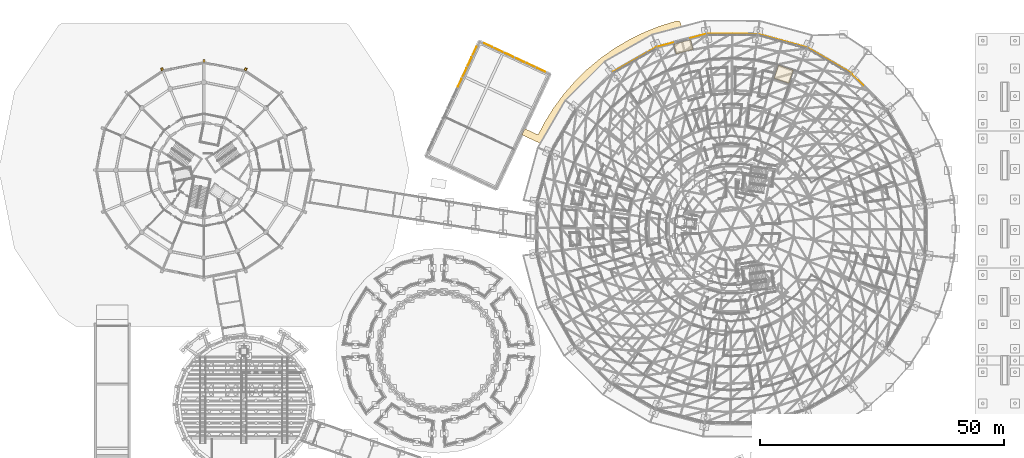
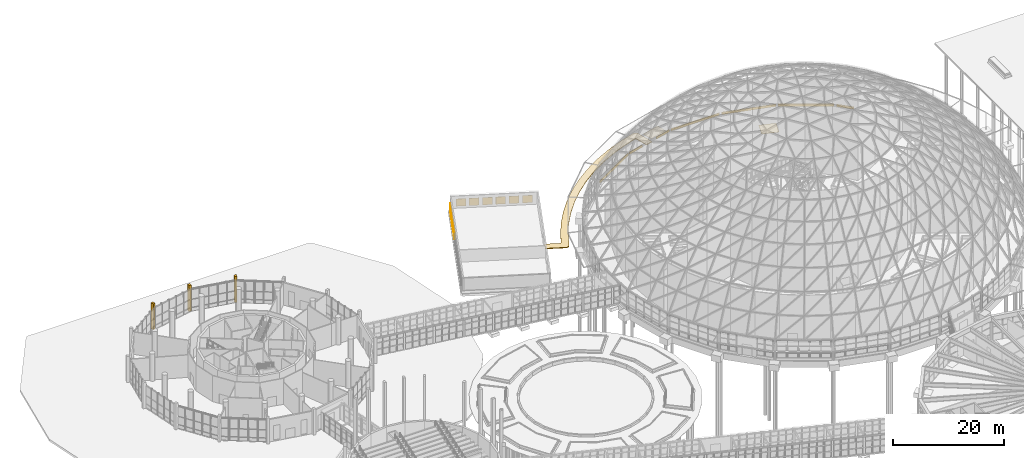
# One storey, part 225 of 226: 13 coverings, 10 shading devices.
"""IFC4 building model written with IfcOpenShell, lengths in metres."""

from ifc_helpers import new_model, si_unit, direction, frame, origin, origin_2d, place, context, subcontext, project, spatial, polyline, rectangle, outline, extrude, material, layer, layer_set, type_object, element, save


model = new_model("IFC4")

# Units and contexts
model_context = context("Model", 3, precision=1e-05, world=origin(), true_north=direction((0.0, 1.0)))
body_context = subcontext(model_context, "Body", "Model", "MODEL_VIEW")
ifc_project = project(units=[si_unit("LENGTHUNIT", "METRE"), si_unit("AREAUNIT", "SQUARE_METRE"), si_unit("VOLUMEUNIT", "CUBIC_METRE"), si_unit("PLANEANGLEUNIT", "RADIAN"), si_unit("MASSUNIT", "GRAM", prefix="KILO")], contexts=[model_context])

# Site, building, storey
site_placement = place(None, origin())
site = spatial("IfcSite", under=ifc_project, at=site_placement, CompositionType="ELEMENT")
building_placement = place(site_placement, origin())
building = spatial("IfcBuilding", under=site, at=building_placement, Name="Ceibo Conservatory and Research Tower", CompositionType="ELEMENT")
storey_placement = place(building_placement, origin())
storey = spatial("IfcBuildingStorey", under=building, at=storey_placement, Name="L00", CompositionType="ELEMENT", Elevation=0.0)

# Coverings
ifc_material_1 = material(Name="Aluminium ceiling panel", Category="aluminium")
ifc_layer_1 = layer(ifc_material_1, 0.050048828125)
ifc_layer_set_1 = layer_set([ifc_layer_1], Name="Aluminium ceiling panel")
covering_type_1 = type_object("IfcCoveringType", Name="Ceiling panel 50", PredefinedType="CEILING", material=ifc_layer_set_1)
covering_1_placement = place(storey_placement, frame((0.0, 0.0, 2.949951171875)))
element("IfcCovering", 1, at=covering_1_placement, inside=storey, type_object=covering_type_1, Name="Vestibule ceiling A-VC07", PredefinedType="CEILING", context=body_context, shape_type="SweptSolid", body=[
    extrude(outline(polyline([(147.675537109375, 146.688232421875), (144.194091796875, 145.771728515625), (144.716064453125, 143.789306640625), (148.197509765625, 144.705810546875), (147.675537109375, 146.688232421875)])), origin(), (0.0, 0.0, 1.0), 0.050048828125),
])
ifc_material_2 = material(Name="Concrete C35/45", Category="concrete")
ifc_layer_2 = layer(ifc_material_2, 0.14990234375)
ifc_layer_set_2 = layer_set([ifc_layer_2], Name="Concrete C35/45")
covering_type_2 = type_object("IfcCoveringType", Name="Concrete plinth facing 150", PredefinedType="CLADDING", material=ifc_layer_set_2)
covering_2_placement = place(storey_placement, origin())
element("IfcCovering", 2, at=covering_2_placement, inside=storey, type_object=covering_type_2, Name="Drum plinth facing A-PL04", PredefinedType="CLADDING", context=body_context, shape_type="SweptSolid", body=[
    extrude(outline(polyline([(182.9541015625, 137.25439453125), (180.688720703125, 139.53955078125), (180.795166015625, 139.645263671875), (183.060546875, 137.35986328125), (182.9541015625, 137.25439453125)])), origin(), (0.0, 0.0, 1.0), 0.5),
])
covering_3_placement = place(storey_placement, origin())
element("IfcCovering", 3, at=covering_3_placement, inside=storey, type_object=covering_type_2, Name="Drum plinth facing A-PL05", PredefinedType="CLADDING", context=body_context, shape_type="SweptSolid", body=[
    extrude(outline(polyline([(180.353515625, 139.799072265625), (171.684326171875, 144.854736328125), (171.759765625, 144.984375), (180.428955078125, 139.9287109375), (180.353515625, 139.799072265625)])), origin(), (0.0, 0.0, 1.0), 0.5),
])
covering_4_placement = place(storey_placement, origin())
element("IfcCovering", 4, at=covering_4_placement, inside=storey, type_object=covering_type_2, Name="Drum plinth facing A-PL06", PredefinedType="CLADDING", context=body_context, shape_type="SweptSolid", body=[
    extrude(outline(polyline([(171.29345703125, 145.018798828125), (161.611083984375, 147.658447265625), (161.650634765625, 147.802978515625), (171.3330078125, 145.163330078125), (171.29345703125, 145.018798828125)])), origin(), (0.0, 0.0, 1.0), 0.5),
])
covering_5_placement = place(storey_placement, origin())
element("IfcCovering", 5, at=covering_5_placement, inside=storey, type_object=covering_type_2, Name="Drum plinth facing A-PL07", PredefinedType="CLADDING", context=body_context, shape_type="SweptSolid", body=[
    extrude(outline(polyline([(161.191162109375, 147.715576171875), (151.155517578125, 147.75927734375), (151.15625, 147.9091796875), (161.19189453125, 147.865478515625), (161.191162109375, 147.715576171875)])), origin(), (0.0, 0.0, 1.0), 0.5),
])
covering_6_placement = place(storey_placement, origin())
element("IfcCovering", 6, at=covering_6_placement, inside=storey, type_object=covering_type_2, Name="Drum plinth facing A-PL08", PredefinedType="CLADDING", context=body_context, shape_type="SweptSolid", body=[
    extrude(outline(polyline([(150.735107421875, 147.705810546875), (147.623291015625, 146.88671875), (147.585205078125, 147.031494140625), (150.697021484375, 147.850830078125), (150.735107421875, 147.705810546875)])), origin(), (0.0, 0.0, 1.0), 0.5),
])
covering_7_placement = place(storey_placement, origin())
element("IfcCovering", 7, at=covering_7_placement, inside=storey, type_object=covering_type_2, Name="Drum plinth facing A-PL09", PredefinedType="CLADDING", context=body_context, shape_type="SweptSolid", body=[
    extrude(outline(polyline([(144.14208984375, 145.969970703125), (141.0302734375, 145.150634765625), (140.991943359375, 145.2958984375), (144.103759765625, 146.114990234375), (144.14208984375, 145.969970703125)])), origin(), (0.0, 0.0, 1.0), 0.5),
])
covering_8_placement = place(storey_placement, origin())
element("IfcCovering", 8, at=covering_8_placement, inside=storey, type_object=covering_type_2, Name="Drum plinth facing A-PL10", PredefinedType="CLADDING", context=body_context, shape_type="SweptSolid", body=[
    extrude(outline(polyline([(140.637939453125, 144.990234375), (131.925048828125, 140.010498046875), (131.8505859375, 140.140625), (140.5634765625, 145.12060546875), (140.637939453125, 144.990234375)])), origin(), (0.0, 0.0, 1.0), 0.5),
])
ifc_material_3 = material(Name="Granite paving", Category="masonry")
ifc_layer_3 = layer(ifc_material_3, 0.02001953125)
ifc_layer_set_3 = layer_set([ifc_layer_3], Name="Granite paving")
covering_type_3 = type_object("IfcCoveringType", Name="Paving 20", PredefinedType="FLOORING", material=ifc_layer_set_3)
covering_9_placement = place(storey_placement, origin())
element("IfcCovering", 9, at=covering_9_placement, inside=storey, type_object=covering_type_3, Name="Path paving A-PV13", PredefinedType="FLOORING", context=body_context, shape_type="SweptSolid", body=[
    extrude(outline(polyline([(168.7099609375, 140.4619140625), (165.679931640625, 141.491943359375), (165.672119140625, 141.471923828125), (164.761962890625, 138.7919921875), (167.7939453125, 137.763916015625), (168.701904296875, 140.444091796875), (168.7099609375, 140.4619140625)])), origin(), (0.0, 0.0, 1.0), 0.02001953125),
])

# Shading devices
ifc_material_4 = material(Name="Aluminium louvre", Category="aluminium")
ifc_layer_4 = layer(ifc_material_4, 0.06005859375)
ifc_layer_set_4 = layer_set([ifc_layer_4], Name="Aluminium louvre")
shading_device_type = type_object("IfcShadingDeviceType", Name="Plant louvre panel 60", PredefinedType="JALOUSIE", material=ifc_layer_set_4)
for number, where, z_axis, x_axis, name in (
    (10, (103.439697265625, 144.42578125, 0.599853515625), (0.0, 0.0, 1.0), (-0.422618274712, -0.906307780988, 0.0), "Plant louvre panel A-LV1.1"),
    (11, (102.42529296875, 142.250732421875, 0.599853515625), (0.0, 0.0, 1.0), (-0.422618274712, -0.906307780988, 0.0), "Plant louvre panel A-LV1.2"),
    (12, (101.4111328125, 140.075439453125, 0.599853515625), (0.0, 0.0, 1.0), (-0.422618274712, -0.906307780988, 0.0), "Plant louvre panel A-LV1.3"),
    (13, (100.396728515625, 137.900390625, 0.599853515625), (0.0, 0.0, 1.0), (-0.422618274712, -0.906307780988, 0.0), "Plant louvre panel A-LV1.4"),
    (14, (117.09765625, 140.517578125, 0.599853515625), (0.0, 0.0, 1.0), (-0.90630779608, 0.422618242348, 0.0), "Plant louvre panel A-LV4.1"),
    (15, (114.922607421875, 141.53173828125, 0.599853515625), (0.0, 0.0, 1.0), (-0.90630779608, 0.422618242348, 0.0), "Plant louvre panel A-LV4.2"),
    (16, (112.747314453125, 142.546142578125, 0.599853515625), (0.0, 0.0, 1.0), (-0.90630779608, 0.422618242348, 0.0), "Plant louvre panel A-LV4.3"),
    (17, (110.572265625, 143.560302734375, 0.599853515625), (0.0, 0.0, 1.0), (-0.90630779608, 0.422618242348, 0.0), "Plant louvre panel A-LV4.4"),
    (18, (108.39697265625, 144.57470703125, 0.599853515625), (0.0, 0.0, 1.0), (-0.90630779608, 0.422618242348, 0.0), "Plant louvre panel A-LV4.5"),
    (19, (106.221923828125, 145.5888671875, 0.599853515625), (0.0, 0.0, 1.0), (-0.90630779608, 0.422618242348, 0.0), "Plant louvre panel A-LV4.6"),
):
    element("IfcShadingDevice", number, at=place(storey_placement, frame(where, z_axis=z_axis, x_axis=x_axis)), inside=storey, type_object=shading_device_type, Name=name, PredefinedType="JALOUSIE", context=body_context, shape_type="SweptSolid", body=[
        extrude(rectangle(XDim=1.800048828125, YDim=0.06005859375, at=origin_2d()), origin(), (0.0, 0.0, 1.0), 1.60009765625),
    ])

# Coverings
covering_type_4 = type_object("IfcCoveringType", Name="Precast concrete pier 450x550", PredefinedType="CLADDING", material=ifc_material_2)
for number, where, z_axis, x_axis, name in (
    (20, (56.5517578125, 140.6455078125, 0.0), (0.0, 0.0, 1.0), (0.382683432365, 0.923879532511, 0.0), "Precast pier 00.04"),
    (21, (48.0, 142.3466796875, 0.0), (0.0, 0.0, 1.0), (0.0, 1.0, 0.0), "Precast pier 00.05"),
    (22, (39.4482421875, 140.6455078125, 0.0), (0.0, 0.0, 1.0), (-0.382683432365, 0.923879532511, 0.0), "Precast pier 00.06"),
):
    element("IfcCovering", number, at=place(storey_placement, frame(where, z_axis=z_axis, x_axis=x_axis)), inside=storey, type_object=covering_type_4, Name=name, PredefinedType="CLADDING", context=body_context, shape_type="SweptSolid", body=[
        extrude(rectangle(XDim=0.570068359375, YDim=0.449951171875, at=origin_2d()), origin(), (0.0, 0.0, 1.0), 5.699951171875),
    ])
ifc_layer_5 = layer(ifc_material_3, 0.14990234375)
ifc_layer_set_5 = layer_set([ifc_layer_5], Name="Granite paving")
covering_type_5 = type_object("IfcCoveringType", Name="Service apron paving 150", PredefinedType="FLOORING", material=ifc_layer_set_5)
covering_10_placement = place(storey_placement, frame((0.0, 0.0, -0.14990234375)))
element("IfcCovering", 23, at=covering_10_placement, inside=storey, type_object=covering_type_5, Name="Plant annex service apron A", PredefinedType="FLOORING", context=body_context, shape_type="SweptSolid", body=[
    extrude(outline(polyline([(116.443115234375, 127.218017578125), (117.716796875, 129.687744140625), (117.744384765625, 129.736083984375), (119.56591796875, 132.667724609375), (119.59716796875, 132.714111328125), (121.646240234375, 135.4912109375), (121.68115234375, 135.534912109375), (123.94482421875, 138.14013671875), (123.983154296875, 138.1806640625), (126.447265625, 140.597412109375), (126.488525390625, 140.634765625), (129.137451171875, 142.847412109375), (129.181640625, 142.881591796875), (131.998291015625, 144.876220703125), (132.044921875, 144.90673828125), (135.011474609375, 146.6708984375), (135.060546875, 146.697509765625), (138.158203125, 148.219482421875), (138.208984375, 148.2421875), (141.41796875, 149.512939453125), (141.470703125, 149.53125), (144.770751953125, 150.54248046875), (144.839111328125, 150.5595703125), (144.90869140625, 150.56982421875), (144.97900390625, 150.572998046875), (145.04931640625, 150.569091796875), (145.118896484375, 150.558349609375), (145.18701171875, 150.540283203125), (145.253173828125, 150.515869140625), (145.31640625, 150.484619140625), (145.3759765625, 150.447509765625), (145.431640625, 150.404296875), (145.48291015625, 150.355712890625), (145.52880859375, 150.30224609375), (145.569091796875, 150.24462890625), (145.603515625, 150.18310546875), (145.63134765625, 150.118408203125), (145.652587890625, 150.05126953125), (146.541748046875, 146.67431640625), (145.18798828125, 146.317626953125), (144.484375, 148.990478515625), (141.907470703125, 148.200927734375), (138.75048828125, 146.95068359375), (135.702880859375, 145.453125), (132.784423828125, 143.7177734375), (130.013427734375, 141.755126953125), (127.40771484375, 139.578369140625), (124.9833984375, 137.20068359375), (122.756103515625, 134.6376953125), (120.740234375, 131.9052734375), (118.9482421875, 129.02099609375), (117.37890625, 125.978515625), (117.345458984375, 125.92041015625), (117.306640625, 125.865966796875), (117.2626953125, 125.8154296875), (117.214111328125, 125.769287109375), (117.161376953125, 125.72802734375), (117.10498046875, 125.692138671875), (117.04541015625, 125.66162109375), (116.983154296875, 125.636962890625), (116.918701171875, 125.618408203125), (116.85302734375, 125.60595703125), (116.786376953125, 125.60009765625), (116.719482421875, 125.600341796875), (116.65283203125, 125.607177734375), (116.587158203125, 125.620361328125), (116.52294921875, 125.6396484375), (116.4609375, 125.6650390625), (113.11669921875, 127.224365234375), (113.70849609375, 128.4931640625), (116.443115234375, 127.218017578125)])), origin(), (0.0, 0.0, 1.0), 0.14990234375),
])

save(model, "model.ifc")
